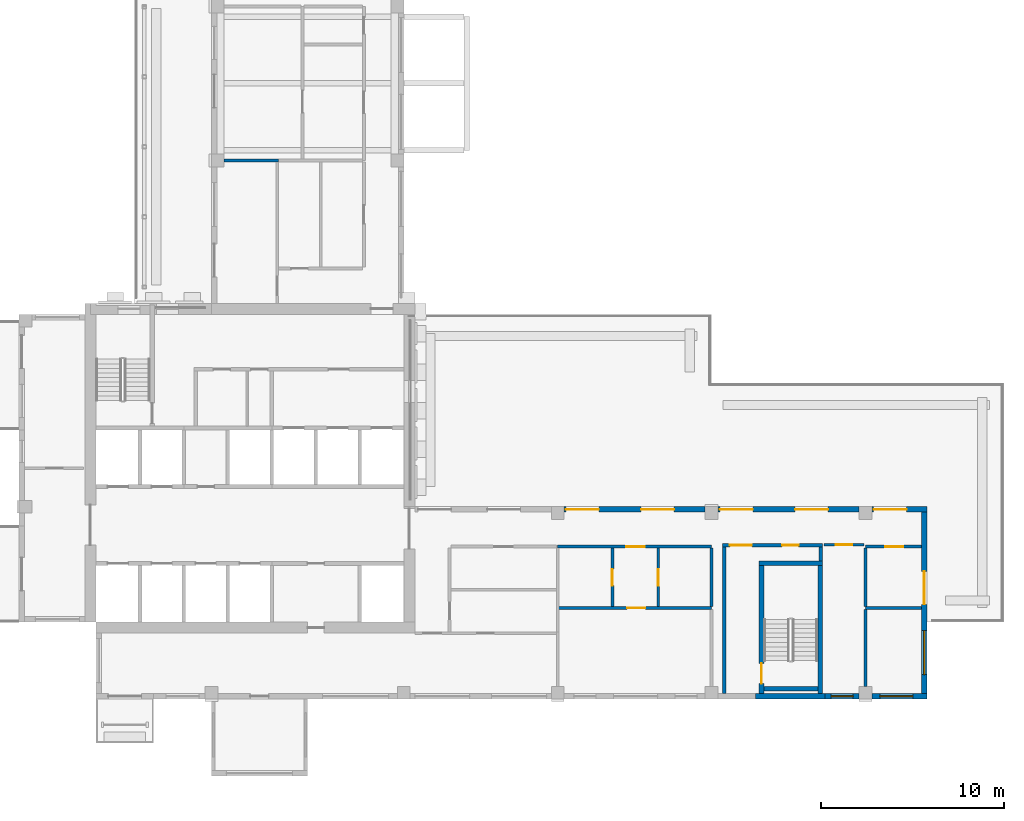
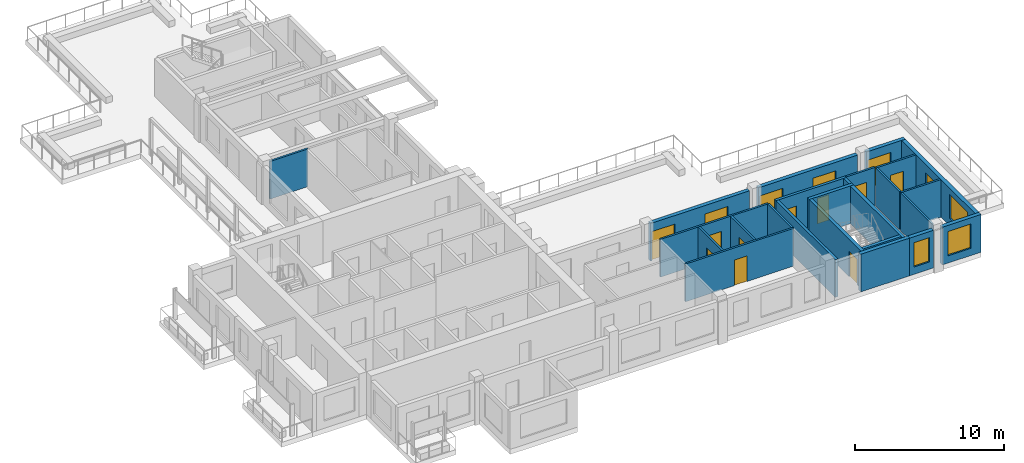
# One storey, part 6 of 12: 25 walls, 15 doors, 3 windows, 18 openings.
"""IFC4 building model written with IfcOpenShell, lengths in metres."""

from ifc_helpers import new_model, si_unit, direction, frame, frame_2d, origin, place, context, subcontext, project, spatial, rectangle, extrude, source, transform, mapped, material, layer, layer_set, type_object, element, fill, save


model = new_model("IFC4")

# Units and contexts
model_context = context("Model", 3, precision=1e-05, world=origin(), true_north=direction((0.0, 1.0)))
body_context = subcontext(model_context, "Body", "Model", "MODEL_VIEW")
ifc_project = project(units=[si_unit("LENGTHUNIT", "METRE"), si_unit("AREAUNIT", "SQUARE_METRE"), si_unit("VOLUMEUNIT", "CUBIC_METRE"), si_unit("PLANEANGLEUNIT", "RADIAN"), si_unit("MASSUNIT", "GRAM", prefix="KILO")], contexts=[model_context])

# Site, building, storey
site_placement = place(None, origin())
site = spatial("IfcSite", under=ifc_project, at=site_placement, CompositionType="ELEMENT")
building_placement = place(site_placement, origin())
building = spatial("IfcBuilding", under=site, at=building_placement, Name="Aurelian Terraces", CompositionType="ELEMENT")
storey_placement = place(building_placement, frame((0.0, 0.0, 284.5)))
storey = spatial("IfcBuildingStorey", under=building, at=storey_placement, Name="L64", CompositionType="ELEMENT", Elevation=284.5)

# Wall
ifc_material_1 = material(Name="Gypsum board on steel studs", Category="steel")
ifc_layer_1 = layer(ifc_material_1, 0.2)
ifc_layer_set_1 = layer_set([ifc_layer_1], Name="Core partition 200")
wall_type_1 = type_object("IfcWallType", Name="Core partition 200", PredefinedType="PARTITIONING", material=ifc_layer_set_1)
wall_1_placement = place(storey_placement, frame((38.5, 0.3, 0.0), z_axis=(0.0, 0.0, 1.0), x_axis=(0.0, 1.0, 0.0)))
element("IfcWall", 1, at=wall_1_placement, inside=storey, type_object=wall_type_1, Name="L64 core wall ST-S2-VW", PredefinedType="PARTITIONING", context=body_context, shape_type="SweptSolid", body=[
    extrude(rectangle(XDim=8.0, YDim=0.2, at=frame_2d((4.0, 0.0))), origin(), (0.0, 0.0, 1.0), 3.1),
])

# Wall, openings, doors
wall_2_placement = place(storey_placement, frame((38.4, 8.4, 0.0), z_axis=(0.0, 0.0, 1.0), x_axis=(1.0, 0.0, 0.0)))
wall_2 = element("IfcWall", 2, at=wall_2_placement, inside=storey, type_object=wall_type_1, Name="L64 core wall ST-S2-BN", PredefinedType="PARTITIONING", context=body_context, shape_type="SweptSolid", body=[
    extrude(rectangle(XDim=5.45, YDim=0.2, at=frame_2d((2.725, 0.0))), origin(), (0.0, 0.0, 1.0), 3.1),
])
shared_shape_1 = source(origin(), body_context, "Body", "SweptSolid", [
    extrude(rectangle(XDim=1.2, YDim=2.1, at=frame_2d((0.6, 1.05))), frame((0.0, 0.11, 0.0), z_axis=(0.0, -1.0, 0.0), x_axis=(1.0, 0.0, 0.0)), (0.0, 0.0, 1.0), 0.22),
])
opening_1_placement = place(wall_2_placement, frame((0.4, 0.0, 0.0)))
opening_1 = element("IfcOpeningElement", 3, at=opening_1_placement, cuts=wall_2, Name="Opening 66716", PredefinedType="OPENING", context=body_context, shape_type="MappedRepresentation", body=[
    mapped(shared_shape_1, transform((0.0, 0.0, 0.0), scale=1.0)),
])
shared_shape_2 = source(origin(), body_context, "Body", "SweptSolid", [
    extrude(rectangle(XDim=0.9, YDim=2.1, at=frame_2d((0.45, 1.05))), frame((0.0, 0.11, 0.0), z_axis=(0.0, -1.0, 0.0), x_axis=(1.0, 0.0, 0.0)), (0.0, 0.0, 1.0), 0.22),
])
opening_2_placement = place(wall_2_placement, frame((3.25, 0.0, 0.0)))
opening_2 = element("IfcOpeningElement", 4, at=opening_2_placement, cuts=wall_2, Name="Opening 66717", PredefinedType="OPENING", context=body_context, shape_type="MappedRepresentation", body=[
    mapped(shared_shape_2, transform((0.0, 0.0, 0.0), scale=1.0)),
])
ifc_material_2 = material(Name="Steel door leaf", Category="steel")
door_type_1 = type_object("IfcDoorType", Name="Core riser door 900x2100", OperationType="SINGLE_SWING_LEFT", PredefinedType="DOOR", material=ifc_material_2)
shared_shape_3 = source(origin(), body_context, "Body", "SweptSolid", [
    extrude(rectangle(XDim=0.9, YDim=2.1, at=frame_2d((0.45, 1.05))), frame((0.0, 0.025, 0.0), z_axis=(0.0, -1.0, 0.0), x_axis=(1.0, 0.0, 0.0)), (0.0, 0.0, 1.0), 0.05),
])
door_1_placement = place(opening_2_placement, origin())
door_1 = element("IfcDoor", 5, at=door_1_placement, inside=storey, type_object=door_type_1, Name="Riser door 66717", OperationType="SINGLE_SWING_LEFT", OverallHeight=2.1, OverallWidth=0.9, PredefinedType="DOOR", context=body_context, shape_type="MappedRepresentation", body=[
    mapped(shared_shape_3, transform((0.0, 0.0, 0.0), scale=1.0)),
])
fill(opening_2, door_1)
door_type_2 = type_object("IfcDoorType", Name="Core fire door 1200x2100 right", OperationType="SINGLE_SWING_RIGHT", PredefinedType="DOOR", material=ifc_material_2)
shared_shape_4 = source(origin(), body_context, "Body", "SweptSolid", [
    extrude(rectangle(XDim=1.2, YDim=2.1, at=frame_2d((0.6, 1.05))), frame((0.0, 0.025, 0.0), z_axis=(0.0, -1.0, 0.0), x_axis=(1.0, 0.0, 0.0)), (0.0, 0.0, 1.0), 0.05),
])
door_2_placement = place(opening_1_placement, origin())
door_2 = element("IfcDoor", 6, at=door_2_placement, inside=storey, type_object=door_type_2, Name="Vestibule door 66716", OperationType="SINGLE_SWING_RIGHT", OverallHeight=2.1, OverallWidth=1.2, PredefinedType="DOOR", context=body_context, shape_type="MappedRepresentation", body=[
    mapped(shared_shape_4, transform((0.0, 0.0, 0.0), scale=1.0)),
])
fill(opening_1, door_2)

# Wall
wall_3_placement = place(storey_placement, frame((43.75, 7.55, 0.0), z_axis=(0.0, 0.0, 1.0), x_axis=(0.0, 1.0, 0.0)))
element("IfcWall", 7, at=wall_3_placement, inside=storey, type_object=wall_type_1, Name="L64 core wall ST-S2-RE", PredefinedType="PARTITIONING", context=body_context, shape_type="SweptSolid", body=[
    extrude(rectangle(XDim=0.75, YDim=0.2, at=frame_2d((0.375, 0.0))), origin(), (0.0, 0.0, 1.0), 3.1),
])

# Wall, opening, window
ifc_material_3 = material(Name="Terracotta rainscreen cladding", Category="masonry")
ifc_layer_2 = layer(ifc_material_3, 0.3)
ifc_layer_set_2 = layer_set([ifc_layer_2], Name="EW-300")
wall_type_2 = type_object("IfcWallType", Name="EW-300", PredefinedType="STANDARD", material=ifc_layer_set_2)
wall_4_placement = place(storey_placement, frame((44.0, 0.15, 0.0), z_axis=(0.0, 0.0, 1.0), x_axis=(1.0, 0.0, 0.0)))
wall_4 = element("IfcWall", 8, at=wall_4_placement, inside=storey, type_object=wall_type_2, Name="External wall L64 F01.6", PredefinedType="STANDARD", context=body_context, shape_type="SweptSolid", body=[
    extrude(rectangle(XDim=1.85, YDim=0.3, at=frame_2d((0.925, 0.0))), origin(), (0.0, 0.0, 1.0), 3.1),
])
shared_shape_5 = source(origin(), body_context, "Body", "SweptSolid", [
    extrude(rectangle(XDim=1.2, YDim=2.0, at=frame_2d((0.6, 1.0))), frame((0.0, 0.16, 0.0), z_axis=(0.0, -1.0, 0.0), x_axis=(1.0, 0.0, 0.0)), (0.0, 0.0, 1.0), 0.32),
])
opening_3_placement = place(wall_4_placement, frame((0.325, 0.0, 0.6)))
opening_3 = element("IfcOpeningElement", 9, at=opening_3_placement, cuts=wall_4, Name="Opening W1220", PredefinedType="OPENING", context=body_context, shape_type="MappedRepresentation", body=[
    mapped(shared_shape_5, transform((0.0, 0.0, 0.0), scale=1.0)),
])
ifc_material_4 = material(Name="Clear glazing", Category="glass")
window_type_1 = type_object("IfcWindowType", Name="W-1200x2000", PartitioningType="SINGLE_PANEL", PredefinedType="WINDOW", material=ifc_material_4)
shared_shape_6 = source(origin(), body_context, "Body", "SweptSolid", [
    extrude(rectangle(XDim=1.2, YDim=2.0, at=frame_2d((0.6, 1.0))), frame((0.0, 0.03, 0.0), z_axis=(0.0, -1.0, 0.0), x_axis=(1.0, 0.0, 0.0)), (0.0, 0.0, 1.0), 0.06),
])
window_1_placement = place(opening_3_placement, origin())
window_1 = element("IfcWindow", 10, at=window_1_placement, inside=storey, type_object=window_type_1, Name="Window L64 L64-F01-06-P2", OverallHeight=2.0, OverallWidth=1.2, PartitioningType="SINGLE_PANEL", PredefinedType="WINDOW", context=body_context, shape_type="MappedRepresentation", body=[
    mapped(shared_shape_6, transform((0.0, 0.0, 0.0), scale=1.0)),
])
fill(opening_3, window_1)

wall_5_placement = place(storey_placement, frame((46.55, 0.15, 0.0), z_axis=(0.0, 0.0, 1.0), x_axis=(1.0, 0.0, 0.0)))
wall_5 = element("IfcWall", 11, at=wall_5_placement, inside=storey, type_object=wall_type_2, Name="External wall L64 F01.7", PredefinedType="STANDARD", context=body_context, shape_type="SweptSolid", body=[
    extrude(rectangle(XDim=3.01, YDim=0.3, at=frame_2d((1.505, 0.0))), origin(), (0.0, 0.0, 1.0), 3.1),
])
shared_shape_7 = source(origin(), body_context, "Body", "SweptSolid", [
    extrude(rectangle(XDim=1.8, YDim=2.0, at=frame_2d((0.9, 1.0))), frame((0.0, 0.16, 0.0), z_axis=(0.0, -1.0, 0.0), x_axis=(1.0, 0.0, 0.0)), (0.0, 0.0, 1.0), 0.32),
])
opening_4_placement = place(wall_5_placement, frame((0.43, 0.0, 0.6)))
opening_4 = element("IfcOpeningElement", 12, at=opening_4_placement, cuts=wall_5, Name="Opening W1820", PredefinedType="OPENING", context=body_context, shape_type="MappedRepresentation", body=[
    mapped(shared_shape_7, transform((0.0, 0.0, 0.0), scale=1.0)),
])
window_type_2 = type_object("IfcWindowType", Name="W-1800x2000", PartitioningType="SINGLE_PANEL", PredefinedType="WINDOW", material=ifc_material_4)
shared_shape_8 = source(origin(), body_context, "Body", "SweptSolid", [
    extrude(rectangle(XDim=1.8, YDim=2.0, at=frame_2d((0.9, 1.0))), frame((0.0, 0.03, 0.0), z_axis=(0.0, -1.0, 0.0), x_axis=(1.0, 0.0, 0.0)), (0.0, 0.0, 1.0), 0.06),
])
window_2_placement = place(opening_4_placement, origin())
window_2 = element("IfcWindow", 13, at=window_2_placement, inside=storey, type_object=window_type_2, Name="Window L64 L64-F01-07-0", OverallHeight=2.0, OverallWidth=1.8, PartitioningType="SINGLE_PANEL", PredefinedType="WINDOW", context=body_context, shape_type="MappedRepresentation", body=[
    mapped(shared_shape_8, transform((0.0, 0.0, 0.0), scale=1.0)),
])
fill(opening_4, window_2)

# Wall, openings, door, window
wall_6_placement = place(storey_placement, frame((49.41, 0.0, 0.0), z_axis=(0.0, 0.0, 1.0), x_axis=(0.0, 1.0, 0.0)))
wall_6 = element("IfcWall", 14, at=wall_6_placement, inside=storey, type_object=wall_type_2, Name="External wall L64 F02.8", PredefinedType="STANDARD", context=body_context, shape_type="SweptSolid", body=[
    extrude(rectangle(XDim=10.5, YDim=0.3, at=frame_2d((5.25, 0.0))), origin(), (0.0, 0.0, 1.0), 3.1),
])
shared_shape_9 = source(origin(), body_context, "Body", "SweptSolid", [
    extrude(rectangle(XDim=1.8, YDim=2.4, at=frame_2d((0.9, 1.2))), frame((0.0, 0.16, 0.0), z_axis=(0.0, -1.0, 0.0), x_axis=(1.0, 0.0, 0.0)), (0.0, 0.0, 1.0), 0.32),
])
opening_5_placement = place(wall_6_placement, frame((5.175, 0.0, 0.0)))
opening_5 = element("IfcOpeningElement", 15, at=opening_5_placement, cuts=wall_6, Name="Opening 86402", PredefinedType="OPENING", context=body_context, shape_type="MappedRepresentation", body=[
    mapped(shared_shape_9, transform((0.0, 0.0, 0.0), scale=1.0)),
])
shared_shape_10 = source(origin(), body_context, "Body", "SweptSolid", [
    extrude(rectangle(XDim=2.4, YDim=2.0, at=frame_2d((1.2, 1.0))), frame((0.0, 0.16, 0.0), z_axis=(0.0, -1.0, 0.0), x_axis=(1.0, 0.0, 0.0)), (0.0, 0.0, 1.0), 0.32),
])
opening_6_placement = place(wall_6_placement, frame((1.3375, 0.0, 0.6)))
opening_6 = element("IfcOpeningElement", 16, at=opening_6_placement, cuts=wall_6, Name="Opening W2420", PredefinedType="OPENING", context=body_context, shape_type="MappedRepresentation", body=[
    mapped(shared_shape_10, transform((0.0, 0.0, 0.0), scale=1.0)),
])
door_type_3 = type_object("IfcDoorType", Name="BD-1800x2400", OperationType="SLIDING_TO_LEFT", PredefinedType="DOOR", material=ifc_material_4)
shared_shape_11 = source(origin(), body_context, "Body", "SweptSolid", [
    extrude(rectangle(XDim=1.8, YDim=2.4, at=frame_2d((0.9, 1.2))), frame((0.0, 0.025, 0.0), z_axis=(0.0, -1.0, 0.0), x_axis=(1.0, 0.0, 0.0)), (0.0, 0.0, 1.0), 0.05),
])
door_3_placement = place(opening_5_placement, origin())
door_3 = element("IfcDoor", 17, at=door_3_placement, inside=storey, type_object=door_type_3, Name="Terrace door L64 L64-F02-08.1", OperationType="SLIDING_TO_LEFT", OverallHeight=2.4, OverallWidth=1.8, PredefinedType="DOOR", context=body_context, shape_type="MappedRepresentation", body=[
    mapped(shared_shape_11, transform((0.0, 0.0, 0.0), scale=1.0)),
])
fill(opening_5, door_3)
window_type_3 = type_object("IfcWindowType", Name="W-2400x2000", PartitioningType="SINGLE_PANEL", PredefinedType="WINDOW", material=ifc_material_4)
shared_shape_12 = source(origin(), body_context, "Body", "SweptSolid", [
    extrude(rectangle(XDim=2.4, YDim=2.0, at=frame_2d((1.2, 1.0))), frame((0.0, 0.03, 0.0), z_axis=(0.0, -1.0, 0.0), x_axis=(1.0, 0.0, 0.0)), (0.0, 0.0, 1.0), 0.06),
])
window_3_placement = place(opening_6_placement, origin())
window_3 = element("IfcWindow", 18, at=window_3_placement, inside=storey, type_object=window_type_3, Name="Window L64 L64-F02-08-G0-0", OverallHeight=2.0, OverallWidth=2.4, PartitioningType="SINGLE_PANEL", PredefinedType="WINDOW", context=body_context, shape_type="MappedRepresentation", body=[
    mapped(shared_shape_12, transform((0.0, 0.0, 0.0), scale=1.0)),
])
fill(opening_6, window_3)

# Wall, opening, door
ifc_layer_3 = layer(ifc_material_1, 0.15)
ifc_layer_set_3 = layer_set([ifc_layer_3], Name="Partition 150")
wall_type_3 = type_object("IfcWallType", Name="Partition 150", PredefinedType="PARTITIONING", material=ifc_layer_set_3)
wall_7_placement = place(storey_placement, frame((46.125, 8.425, 0.0), z_axis=(0.0, 0.0, 1.0), x_axis=(-1.0, 0.0, 0.0)))
wall_7 = element("IfcWall", 19, at=wall_7_placement, inside=storey, type_object=wall_type_3, Name="Partition", PredefinedType="PARTITIONING", context=body_context, shape_type="SweptSolid", body=[
    extrude(rectangle(XDim=2.2, YDim=0.15, at=frame_2d((1.1, 0.0))), origin(), (0.0, 0.0, 1.0), 3.1),
])
shared_shape_13 = source(origin(), body_context, "Body", "SweptSolid", [
    extrude(rectangle(XDim=0.9, YDim=2.1, at=frame_2d((0.45, 1.05))), frame((0.0, 0.085, 0.0), z_axis=(0.0, -1.0, 0.0), x_axis=(1.0, 0.0, 0.0)), (0.0, 0.0, 1.0), 0.17),
])
opening_7_placement = place(wall_7_placement, frame((0.65, 0.0, 0.0)))
opening_7 = element("IfcOpeningElement", 20, at=opening_7_placement, cuts=wall_7, Name="Opening 764004", PredefinedType="OPENING", context=body_context, shape_type="MappedRepresentation", body=[
    mapped(shared_shape_13, transform((0.0, 0.0, 0.0), scale=1.0)),
])
ifc_material_5 = material(Name="Timber door leaf", Category="wood")
door_type_4 = type_object("IfcDoorType", Name="Room door 900x2100 right", OperationType="SINGLE_SWING_RIGHT", PredefinedType="DOOR", material=ifc_material_5)
door_4_placement = place(opening_7_placement, origin())
door_4 = element("IfcDoor", 21, at=door_4_placement, inside=storey, type_object=door_type_4, Name="Door 764004", OperationType="SINGLE_SWING_RIGHT", OverallHeight=2.1, OverallWidth=0.9, PredefinedType="DOOR", context=body_context, shape_type="MappedRepresentation", body=[
    mapped(shared_shape_3, transform((0.0, 0.0, 0.0), scale=1.0)),
])
fill(opening_7, door_4)

wall_8_placement = place(storey_placement, frame((32.3889, 5.05, 0.0), z_axis=(0.0, 0.0, 1.0), x_axis=(0.0, 1.0, 0.0)))
wall_8 = element("IfcWall", 22, at=wall_8_placement, inside=storey, type_object=wall_type_3, Name="Partition", PredefinedType="PARTITIONING", context=body_context, shape_type="SweptSolid", body=[
    extrude(rectangle(XDim=3.2, YDim=0.15, at=frame_2d((1.6, 0.0))), origin(), (0.0, 0.0, 1.0), 3.1),
])
opening_8_placement = place(wall_8_placement, frame((1.15, 0.0, 0.0)))
opening_8 = element("IfcOpeningElement", 23, at=opening_8_placement, cuts=wall_8, Name="Opening 764007", PredefinedType="OPENING", context=body_context, shape_type="MappedRepresentation", body=[
    mapped(shared_shape_13, transform((0.0, 0.0, 0.0), scale=1.0)),
])
door_type_5 = type_object("IfcDoorType", Name="Room door 900x2100 left", OperationType="SINGLE_SWING_LEFT", PredefinedType="DOOR", material=ifc_material_5)
door_5_placement = place(opening_8_placement, origin())
door_5 = element("IfcDoor", 24, at=door_5_placement, inside=storey, type_object=door_type_5, Name="Door 764007", OperationType="SINGLE_SWING_LEFT", OverallHeight=2.1, OverallWidth=0.9, PredefinedType="DOOR", context=body_context, shape_type="MappedRepresentation", body=[
    mapped(shared_shape_3, transform((0.0, 0.0, 0.0), scale=1.0)),
])
fill(opening_8, door_5)

wall_9_placement = place(storey_placement, frame((37.8, 4.975, 0.0), z_axis=(0.0, 0.0, 1.0), x_axis=(-1.0, 0.0, 0.0)))
wall_9 = element("IfcWall", 25, at=wall_9_placement, inside=storey, type_object=wall_type_3, Name="Partition", PredefinedType="PARTITIONING", context=body_context, shape_type="SweptSolid", body=[
    extrude(rectangle(XDim=8.4, YDim=0.15, at=frame_2d((4.2, 0.0))), origin(), (0.0, 0.0, 1.0), 3.1),
])
shared_shape_14 = source(origin(), body_context, "Body", "SweptSolid", [
    extrude(rectangle(XDim=1.0, YDim=2.1, at=frame_2d((0.5, 1.05))), frame((0.0, 0.085, 0.0), z_axis=(0.0, -1.0, 0.0), x_axis=(1.0, 0.0, 0.0)), (0.0, 0.0, 1.0), 0.17),
])
opening_9_placement = place(wall_9_placement, frame((3.608, 0.0, 0.0)))
opening_9 = element("IfcOpeningElement", 26, at=opening_9_placement, cuts=wall_9, Name="Opening 764006", PredefinedType="OPENING", context=body_context, shape_type="MappedRepresentation", body=[
    mapped(shared_shape_14, transform((0.0, 0.0, 0.0), scale=1.0)),
])
door_type_6 = type_object("IfcDoorType", Name="Room door 1000x2100 right", OperationType="SINGLE_SWING_RIGHT", PredefinedType="DOOR", material=ifc_material_5)
shared_shape_15 = source(origin(), body_context, "Body", "SweptSolid", [
    extrude(rectangle(XDim=1.0, YDim=2.1, at=frame_2d((0.5, 1.05))), frame((0.0, 0.025, 0.0), z_axis=(0.0, -1.0, 0.0), x_axis=(1.0, 0.0, 0.0)), (0.0, 0.0, 1.0), 0.05),
])
door_6_placement = place(opening_9_placement, origin())
door_6 = element("IfcDoor", 27, at=door_6_placement, inside=storey, type_object=door_type_6, Name="Door 764006", OperationType="SINGLE_SWING_RIGHT", OverallHeight=2.1, OverallWidth=1.0, PredefinedType="DOOR", context=body_context, shape_type="MappedRepresentation", body=[
    mapped(shared_shape_15, transform((0.0, 0.0, 0.0), scale=1.0)),
])
fill(opening_9, door_6)

# Walls
wall_10_placement = place(storey_placement, frame((49.26, 4.975, 0.0), z_axis=(0.0, 0.0, 1.0), x_axis=(-1.0, 0.0, 0.0)))
element("IfcWall", 28, at=wall_10_placement, inside=storey, type_object=wall_type_3, Name="Partition", PredefinedType="PARTITIONING", context=body_context, shape_type="SweptSolid", body=[
    extrude(rectangle(XDim=3.06, YDim=0.15, at=frame_2d((1.53, 0.0))), origin(), (0.0, 0.0, 1.0), 3.1),
])
ifc_material_6 = material(Name="Concrete fc' 40 MPa", Category="concrete")
ifc_layer_4 = layer(ifc_material_6, 0.3)
ifc_layer_set_4 = layer_set([ifc_layer_4], Name="STAIR BAY WALL 300")
wall_type_4 = type_object("IfcWallType", Name="STAIR BAY WALL 300", PredefinedType="SOLIDWALL", material=ifc_layer_set_4)
wall_11_placement = place(storey_placement, frame((40.2, 0.15, 0.0), z_axis=(0.0, 0.0, 1.0), x_axis=(1.0, 0.0, 0.0)))
element("IfcWall", 29, at=wall_11_placement, inside=storey, type_object=wall_type_4, Name="Stair bay wall L64 F01.6", PredefinedType="SOLIDWALL", context=body_context, shape_type="SweptSolid", body=[
    extrude(rectangle(XDim=3.8, YDim=0.3, at=frame_2d((1.9, 0.0))), origin(), (0.0, 0.0, 1.0), 3.1),
])

# Wall, opening, door
ifc_layer_5 = layer(ifc_material_6, 0.25)
ifc_layer_set_5 = layer_set([ifc_layer_5], Name="Stair enclosure wall 250")
wall_type_5 = type_object("IfcWallType", Name="Stair enclosure wall 250", PredefinedType="SOLIDWALL", material=ifc_layer_set_5)
wall_12_placement = place(storey_placement, frame((40.525, 0.3, 0.0), z_axis=(0.0, 0.0, 1.0), x_axis=(0.0, 1.0, 0.0)))
wall_12 = element("IfcWall", 30, at=wall_12_placement, inside=storey, type_object=wall_type_5, Name="L64 core wall ST-S2-W", PredefinedType="SOLIDWALL", context=body_context, shape_type="SweptSolid", body=[
    extrude(rectangle(XDim=7.0, YDim=0.25, at=frame_2d((3.5, 0.0))), origin(), (0.0, 0.0, 1.0), 3.1),
])
shared_shape_16 = source(origin(), body_context, "Body", "SweptSolid", [
    extrude(rectangle(XDim=1.1, YDim=2.1, at=frame_2d((0.55, 1.05))), frame((0.0, 0.135, 0.0), z_axis=(0.0, -1.0, 0.0), x_axis=(1.0, 0.0, 0.0)), (0.0, 0.0, 1.0), 0.27),
])
opening_10_placement = place(wall_12_placement, frame((0.55, 0.0, 0.0)))
opening_10 = element("IfcOpeningElement", 31, at=opening_10_placement, cuts=wall_12, Name="Opening 66715", PredefinedType="OPENING", context=body_context, shape_type="MappedRepresentation", body=[
    mapped(shared_shape_16, transform((0.0, 0.0, 0.0), scale=1.0)),
])
door_type_7 = type_object("IfcDoorType", Name="Core fire door 1100x2100", OperationType="SINGLE_SWING_LEFT", PredefinedType="DOOR", material=ifc_material_2)
shared_shape_17 = source(origin(), body_context, "Body", "SweptSolid", [
    extrude(rectangle(XDim=1.1, YDim=2.1, at=frame_2d((0.55, 1.05))), frame((0.0, 0.025, 0.0), z_axis=(0.0, -1.0, 0.0), x_axis=(1.0, 0.0, 0.0)), (0.0, 0.0, 1.0), 0.05),
])
door_7_placement = place(opening_10_placement, origin())
door_7 = element("IfcDoor", 32, at=door_7_placement, inside=storey, type_object=door_type_7, Name="Stair door 66715", OperationType="SINGLE_SWING_LEFT", OverallHeight=2.1, OverallWidth=1.1, PredefinedType="DOOR", context=body_context, shape_type="MappedRepresentation", body=[
    mapped(shared_shape_17, transform((0.0, 0.0, 0.0), scale=1.0)),
])
fill(opening_10, door_7)

# Walls
wall_13_placement = place(storey_placement, frame((40.4, 7.425, 0.0), z_axis=(0.0, 0.0, 1.0), x_axis=(1.0, 0.0, 0.0)))
element("IfcWall", 33, at=wall_13_placement, inside=storey, type_object=wall_type_5, Name="L64 core wall ST-S2-N", PredefinedType="SOLIDWALL", context=body_context, shape_type="SweptSolid", body=[
    extrude(rectangle(XDim=3.45, YDim=0.25, at=frame_2d((1.725, 0.0))), origin(), (0.0, 0.0, 1.0), 3.1),
])
wall_14_placement = place(storey_placement, frame((40.65, 0.575, 0.0), z_axis=(0.0, 0.0, 1.0), x_axis=(1.0, 0.0, 0.0)))
element("IfcWall", 34, at=wall_14_placement, inside=storey, type_object=wall_type_5, Name="L64 core wall ST-S2-SS", PredefinedType="SOLIDWALL", context=body_context, shape_type="SweptSolid", body=[
    extrude(rectangle(XDim=2.95, YDim=0.25, at=frame_2d((1.475, 0.0))), origin(), (0.0, 0.0, 1.0), 3.1),
])

# Wall, openings, doors
shared_shape_18 = source(origin(), body_context, "Body", "SweptSolid", [
    extrude(rectangle(XDim=7.7, YDim=0.3, at=frame_2d((3.85, 0.0))), origin(), (0.0, 0.0, 1.0), 3.1),
])
wall_15_placement = place(storey_placement, frame((45.85, 10.35, 0.0), z_axis=(0.0, 0.0, 1.0), x_axis=(-1.0, 0.0, 0.0)))
wall_15 = element("IfcWall", 35, at=wall_15_placement, inside=storey, type_object=wall_type_2, Name="External wall L64 F03.9", PredefinedType="STANDARD", context=body_context, shape_type="MappedRepresentation", body=[
    mapped(shared_shape_18, transform((0.0, 0.0, 0.0), scale=1.0)),
])
opening_11_placement = place(wall_15_placement, frame((1.69, 0.0, 0.0)))
opening_11 = element("IfcOpeningElement", 36, at=opening_11_placement, cuts=wall_15, Name="Opening 86404", PredefinedType="OPENING", context=body_context, shape_type="MappedRepresentation", body=[
    mapped(shared_shape_9, transform((0.0, 0.0, 0.0), scale=1.0)),
])
opening_12_placement = place(wall_15_placement, frame((5.8, 0.0, 0.0)))
opening_12 = element("IfcOpeningElement", 37, at=opening_12_placement, cuts=wall_15, Name="Opening 86405", PredefinedType="OPENING", context=body_context, shape_type="MappedRepresentation", body=[
    mapped(shared_shape_9, transform((0.0, 0.0, 0.0), scale=1.0)),
])
door_8_placement = place(opening_11_placement, origin())
door_8 = element("IfcDoor", 38, at=door_8_placement, inside=storey, type_object=door_type_3, Name="Terrace door L64 L64-F03-09.2", OperationType="SLIDING_TO_LEFT", OverallHeight=2.4, OverallWidth=1.8, PredefinedType="DOOR", context=body_context, shape_type="MappedRepresentation", body=[
    mapped(shared_shape_11, transform((0.0, 0.0, 0.0), scale=1.0)),
])
fill(opening_11, door_8)
door_9_placement = place(opening_12_placement, origin())
door_9 = element("IfcDoor", 39, at=door_9_placement, inside=storey, type_object=door_type_3, Name="Terrace door L64 L64-F03-09.3", OperationType="SLIDING_TO_LEFT", OverallHeight=2.4, OverallWidth=1.8, PredefinedType="DOOR", context=body_context, shape_type="MappedRepresentation", body=[
    mapped(shared_shape_11, transform((0.0, 0.0, 0.0), scale=1.0)),
])
fill(opening_12, door_9)

wall_16_placement = place(storey_placement, frame((37.45, 10.35, 0.0), z_axis=(0.0, 0.0, 1.0), x_axis=(-1.0, 0.0, 0.0)))
wall_16 = element("IfcWall", 40, at=wall_16_placement, inside=storey, type_object=wall_type_2, Name="External wall L64 F03.9", PredefinedType="STANDARD", context=body_context, shape_type="MappedRepresentation", body=[
    mapped(shared_shape_18, transform((0.0, 0.0, 0.0), scale=1.0)),
])
opening_13_placement = place(wall_16_placement, frame((1.69, 0.0, 0.0)))
opening_13 = element("IfcOpeningElement", 41, at=opening_13_placement, cuts=wall_16, Name="Opening 86406", PredefinedType="OPENING", context=body_context, shape_type="MappedRepresentation", body=[
    mapped(shared_shape_9, transform((0.0, 0.0, 0.0), scale=1.0)),
])
opening_14_placement = place(wall_16_placement, frame((5.8, 0.0, 0.0)))
opening_14 = element("IfcOpeningElement", 42, at=opening_14_placement, cuts=wall_16, Name="Opening 86407", PredefinedType="OPENING", context=body_context, shape_type="MappedRepresentation", body=[
    mapped(shared_shape_9, transform((0.0, 0.0, 0.0), scale=1.0)),
])
door_10_placement = place(opening_13_placement, origin())
door_10 = element("IfcDoor", 43, at=door_10_placement, inside=storey, type_object=door_type_3, Name="Terrace door L64 L64-F03-09.4", OperationType="SLIDING_TO_LEFT", OverallHeight=2.4, OverallWidth=1.8, PredefinedType="DOOR", context=body_context, shape_type="MappedRepresentation", body=[
    mapped(shared_shape_11, transform((0.0, 0.0, 0.0), scale=1.0)),
])
fill(opening_13, door_10)
door_11_placement = place(opening_14_placement, origin())
door_11 = element("IfcDoor", 44, at=door_11_placement, inside=storey, type_object=door_type_3, Name="Terrace door L64 L64-F03-09.5", OperationType="SLIDING_TO_LEFT", OverallHeight=2.4, OverallWidth=1.8, PredefinedType="DOOR", context=body_context, shape_type="MappedRepresentation", body=[
    mapped(shared_shape_11, transform((0.0, 0.0, 0.0), scale=1.0)),
])
fill(opening_14, door_11)

# Wall, opening, door
shared_shape_19 = source(origin(), body_context, "Body", "SweptSolid", [
    extrude(rectangle(XDim=3.01, YDim=0.3, at=frame_2d((1.505, 0.0))), origin(), (0.0, 0.0, 1.0), 3.1),
])
wall_17_placement = place(storey_placement, frame((49.56, 10.35, 0.0), z_axis=(0.0, 0.0, 1.0), x_axis=(-1.0, 0.0, 0.0)))
wall_17 = element("IfcWall", 45, at=wall_17_placement, inside=storey, type_object=wall_type_2, Name="External wall L64 F03.9", PredefinedType="STANDARD", context=body_context, shape_type="MappedRepresentation", body=[
    mapped(shared_shape_19, transform((0.0, 0.0, 0.0), scale=1.0)),
])
opening_15_placement = place(wall_17_placement, frame((1.11, 0.0, 0.0)))
opening_15 = element("IfcOpeningElement", 46, at=opening_15_placement, cuts=wall_17, Name="Opening 86403", PredefinedType="OPENING", context=body_context, shape_type="MappedRepresentation", body=[
    mapped(shared_shape_9, transform((0.0, 0.0, 0.0), scale=1.0)),
])
door_12_placement = place(opening_15_placement, origin())
door_12 = element("IfcDoor", 47, at=door_12_placement, inside=storey, type_object=door_type_3, Name="Terrace door L64 L64-F03-09.1", OperationType="SLIDING_TO_LEFT", OverallHeight=2.4, OverallWidth=1.8, PredefinedType="DOOR", context=body_context, shape_type="MappedRepresentation", body=[
    mapped(shared_shape_11, transform((0.0, 0.0, 0.0), scale=1.0)),
])
fill(opening_15, door_12)

# Wall
shared_shape_20 = source(origin(), body_context, "Body", "SweptSolid", [
    extrude(rectangle(XDim=7.0, YDim=0.25, at=frame_2d((3.5, 0.0))), origin(), (0.0, 0.0, 1.0), 3.1),
])
wall_18_placement = place(storey_placement, frame((43.725, 0.3, 0.0), z_axis=(0.0, 0.0, 1.0), x_axis=(0.0, 1.0, 0.0)))
element("IfcWall", 48, at=wall_18_placement, inside=storey, type_object=wall_type_5, Name="L64 core wall ST-S2-E", PredefinedType="SOLIDWALL", context=body_context, shape_type="MappedRepresentation", body=[
    mapped(shared_shape_20, transform((0.0, 0.0, 0.0), scale=1.0)),
])

# Wall, opening, door
shared_shape_21 = source(origin(), body_context, "Body", "SweptSolid", [
    extrude(rectangle(XDim=3.2, YDim=0.15, at=frame_2d((1.6, 0.0))), origin(), (0.0, 0.0, 1.0), 3.1),
])
wall_19_placement = place(storey_placement, frame((34.8952, 5.05, 0.0), z_axis=(0.0, 0.0, 1.0), x_axis=(0.0, 1.0, 0.0)))
wall_19 = element("IfcWall", 49, at=wall_19_placement, inside=storey, type_object=wall_type_3, Name="Partition", PredefinedType="PARTITIONING", context=body_context, shape_type="MappedRepresentation", body=[
    mapped(shared_shape_21, transform((0.0, 0.0, 0.0), scale=1.0)),
])
opening_16_placement = place(wall_19_placement, frame((1.15, 0.0, 0.0)))
opening_16 = element("IfcOpeningElement", 50, at=opening_16_placement, cuts=wall_19, Name="Opening 764008", PredefinedType="OPENING", context=body_context, shape_type="MappedRepresentation", body=[
    mapped(shared_shape_13, transform((0.0, 0.0, 0.0), scale=1.0)),
])
door_13_placement = place(opening_16_placement, origin())
door_13 = element("IfcDoor", 51, at=door_13_placement, inside=storey, type_object=door_type_4, Name="Door 764008", OperationType="SINGLE_SWING_RIGHT", OverallHeight=2.1, OverallWidth=0.9, PredefinedType="DOOR", context=body_context, shape_type="MappedRepresentation", body=[
    mapped(shared_shape_3, transform((0.0, 0.0, 0.0), scale=1.0)),
])
fill(opening_16, door_13)

# Walls
ifc_layer_6 = layer(ifc_material_1, 0.15)
ifc_layer_set_6 = layer_set([ifc_layer_6], Name="Fire partition 150")
wall_type_6 = type_object("IfcWallType", Name="Fire partition 150", PredefinedType="PARTITIONING", material=ifc_layer_set_6)
for number, where, z_axis, x_axis, name in (
    (52, (37.8, 5.05, 0.0), (0.0, 0.0, 1.0), (0.0, 1.0, 0.0), "Party wall"),
    (53, (46.2, 5.05, 0.0), (0.0, 0.0, 1.0), (0.0, 1.0, 0.0), "Party wall"),
):
    element("IfcWall", number, at=place(storey_placement, frame(where, z_axis=z_axis, x_axis=x_axis)), inside=storey, type_object=wall_type_6, Name=name, PredefinedType="PARTITIONING", context=body_context, shape_type="MappedRepresentation", body=[
        mapped(shared_shape_21, transform((0.0, 0.0, 0.0), scale=1.0)),
    ])
shared_shape_22 = source(origin(), body_context, "Body", "SweptSolid", [
    extrude(rectangle(XDim=4.201, YDim=0.15, at=frame_2d((2.1005, 0.0))), origin(), (0.0, 0.0, 1.0), 3.1),
])
wall_20_placement = place(storey_placement, frame((46.2, 0.699, 0.0), z_axis=(0.0, 0.0, 1.0), x_axis=(0.0, 1.0, 0.0)))
element("IfcWall", 54, at=wall_20_placement, inside=storey, type_object=wall_type_6, Name="Party wall", PredefinedType="PARTITIONING", context=body_context, shape_type="MappedRepresentation", body=[
    mapped(shared_shape_22, transform((0.0, 0.0, 0.0), scale=1.0)),
])

# Wall, opening, door
shared_shape_23 = source(origin(), body_context, "Body", "SweptSolid", [
    extrude(rectangle(XDim=8.4, YDim=0.15, at=frame_2d((4.2, 0.0))), origin(), (0.0, 0.0, 1.0), 3.1),
])
wall_21_placement = place(storey_placement, frame((37.8, 8.325, 0.0), z_axis=(0.0, 0.0, 1.0), x_axis=(-1.0, 0.0, 0.0)))
wall_21 = element("IfcWall", 55, at=wall_21_placement, inside=storey, type_object=wall_type_6, Name="Corridor wall", PredefinedType="PARTITIONING", context=body_context, shape_type="MappedRepresentation", body=[
    mapped(shared_shape_23, transform((0.0, 0.0, 0.0), scale=1.0)),
])
opening_17_placement = place(wall_21_placement, frame((3.658, 0.0, 0.0)))
opening_17 = element("IfcOpeningElement", 56, at=opening_17_placement, cuts=wall_21, Name="Opening 764005", PredefinedType="OPENING", context=body_context, shape_type="MappedRepresentation", body=[
    mapped(shared_shape_14, transform((0.0, 0.0, 0.0), scale=1.0)),
])
door_type_8 = type_object("IfcDoorType", Name="Entrance fire door 1000x2100 left", OperationType="SINGLE_SWING_LEFT", PredefinedType="DOOR", material=ifc_material_2)
door_14_placement = place(opening_17_placement, origin())
door_14 = element("IfcDoor", 57, at=door_14_placement, inside=storey, type_object=door_type_8, Name="Door 764005", OperationType="SINGLE_SWING_LEFT", OverallHeight=2.1, OverallWidth=1.0, PredefinedType="DOOR", context=body_context, shape_type="MappedRepresentation", body=[
    mapped(shared_shape_15, transform((0.0, 0.0, 0.0), scale=1.0)),
])
fill(opening_17, door_14)

shared_shape_24 = source(origin(), body_context, "Body", "SweptSolid", [
    extrude(rectangle(XDim=3.06, YDim=0.15, at=frame_2d((1.53, 0.0))), origin(), (0.0, 0.0, 1.0), 3.1),
])
wall_22_placement = place(storey_placement, frame((49.26, 8.325, 0.0), z_axis=(0.0, 0.0, 1.0), x_axis=(-1.0, 0.0, 0.0)))
wall_22 = element("IfcWall", 58, at=wall_22_placement, inside=storey, type_object=wall_type_6, Name="Corridor wall", PredefinedType="PARTITIONING", context=body_context, shape_type="MappedRepresentation", body=[
    mapped(shared_shape_24, transform((0.0, 0.0, 0.0), scale=1.0)),
])
opening_18_placement = place(wall_22_placement, frame((0.9925, 0.0, 0.0)))
opening_18 = element("IfcOpeningElement", 59, at=opening_18_placement, cuts=wall_22, Name="Opening 764009", PredefinedType="OPENING", context=body_context, shape_type="MappedRepresentation", body=[
    mapped(shared_shape_14, transform((0.0, 0.0, 0.0), scale=1.0)),
])
door_15_placement = place(opening_18_placement, origin())
door_15 = element("IfcDoor", 60, at=door_15_placement, inside=storey, type_object=door_type_8, Name="Door 764009", OperationType="SINGLE_SWING_LEFT", OverallHeight=2.1, OverallWidth=1.0, PredefinedType="DOOR", context=body_context, shape_type="MappedRepresentation", body=[
    mapped(shared_shape_15, transform((0.0, 0.0, 0.0), scale=1.0)),
])
fill(opening_18, door_15)

# Wall
shared_shape_25 = source(origin(), body_context, "Body", "SweptSolid", [
    extrude(rectangle(XDim=2.956, YDim=0.15, at=frame_2d((1.478, 0.0))), origin(), (0.0, 0.0, 1.0), 3.1),
])
wall_23_placement = place(storey_placement, frame((14.155, 29.4, 0.0), z_axis=(0.0, 0.0, 1.0), x_axis=(-1.0, 0.0, 0.0)))
element("IfcWall", 61, at=wall_23_placement, inside=storey, type_object=wall_type_6, Name="Party wall", PredefinedType="PARTITIONING", context=body_context, shape_type="MappedRepresentation", body=[
    mapped(shared_shape_25, transform((0.0, 0.0, 0.0), scale=1.0)),
])

save(model, "model.ifc")
